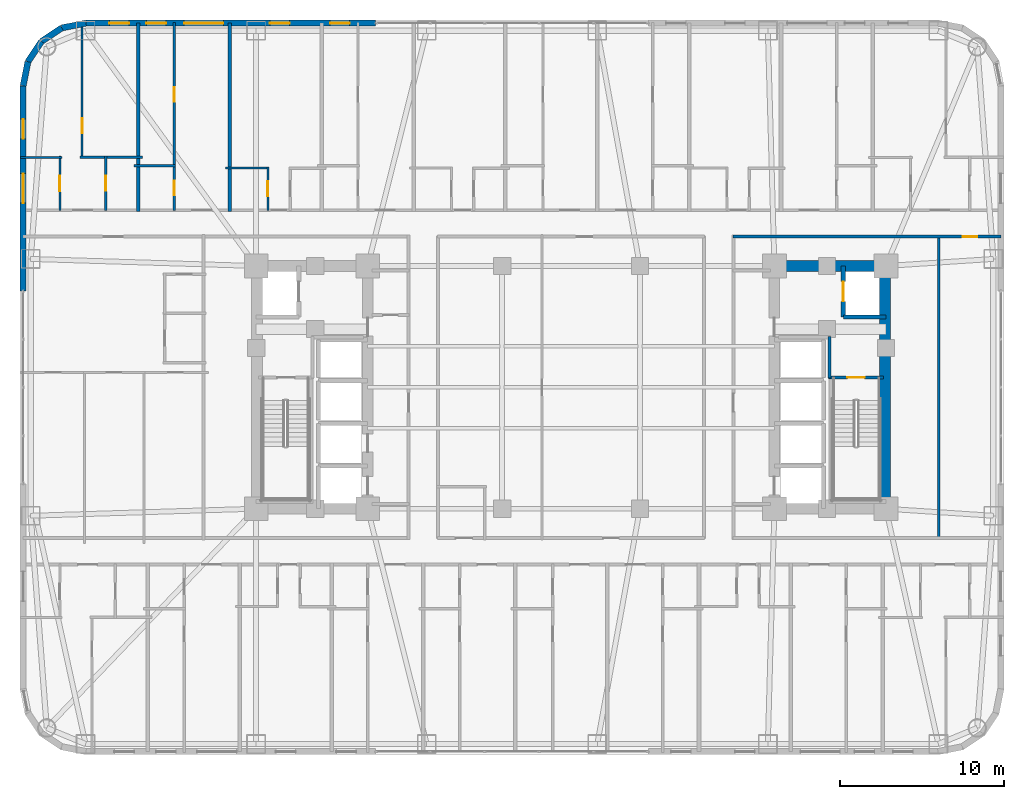
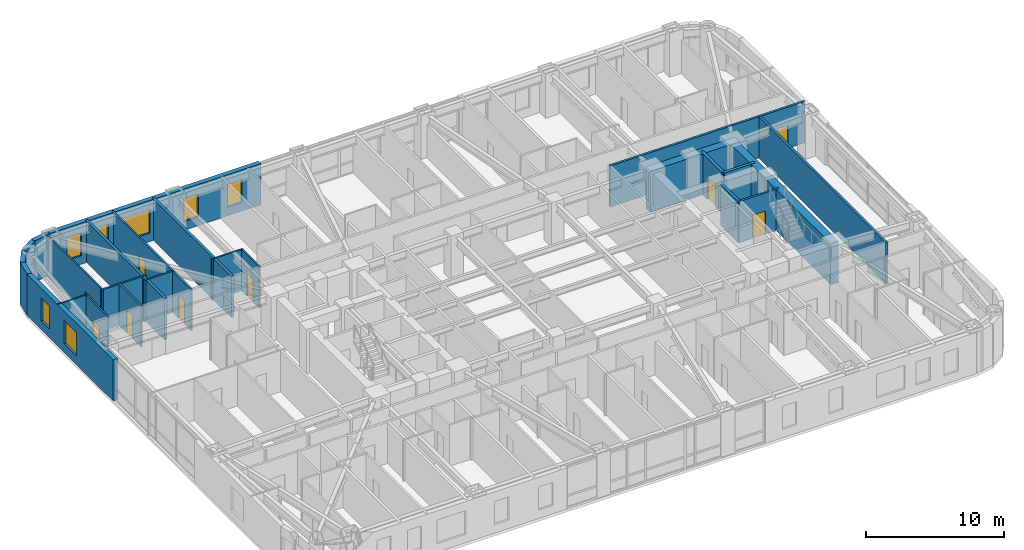
# One storey, part 24 of 28: 26 walls, 9 doors, 7 windows, 16 openings.
"""IFC4 building model written with IfcOpenShell, lengths in metres."""

from ifc_helpers import new_model, si_unit, direction, frame, frame_2d, origin, place, context, subcontext, project, spatial, rectangle, extrude, material, layer, layer_set, type_object, element, fill, save


model = new_model("IFC4")

# Units and contexts
model_context = context("Model", 3, precision=1e-05, world=origin(), true_north=direction((0.0, 1.0)))
body_context = subcontext(model_context, "Body", "Model", "MODEL_VIEW")
ifc_project = project(units=[si_unit("LENGTHUNIT", "METRE"), si_unit("AREAUNIT", "SQUARE_METRE"), si_unit("VOLUMEUNIT", "CUBIC_METRE"), si_unit("PLANEANGLEUNIT", "RADIAN"), si_unit("MASSUNIT", "GRAM", prefix="KILO")], contexts=[model_context])

# Site, building, storey
site_placement = place(None, origin())
site = spatial("IfcSite", under=ifc_project, at=site_placement, CompositionType="ELEMENT")
building_placement = place(site_placement, origin())
building = spatial("IfcBuilding", under=site, at=building_placement, Name="Voryun Gate Residences", CompositionType="ELEMENT")
storey_placement = place(building_placement, frame((0.0, 0.0, 61.10009765625)))
storey = spatial("IfcBuildingStorey", under=building, at=storey_placement, Name="L14", CompositionType="ELEMENT", Elevation=61.10009765625)

# Walls
ifc_material_1 = material(Name="Concrete C60/75", Category="concrete")
ifc_layer_1 = layer(ifc_material_1, 0.64990234375, Name="CW_CORE_650")
ifc_layer_set_1 = layer_set([ifc_layer_1], Name="Concrete C60/75")
wall_type_1 = type_object("IfcWallType", Name="CW_CORE_650", PredefinedType="SHEAR", material=ifc_layer_set_1)
wall_1_placement = place(storey_placement, frame((12.074951171875, 7.39990234375, 0.0), z_axis=(0.0, 0.0, 1.0), x_axis=(1.0, 0.0, 0.0)))
element("IfcWall", 1, at=wall_1_placement, inside=storey, type_object=wall_type_1, Name="L14 Core shear wall CW-L14-EN", PredefinedType="SHEAR", context=body_context, shape_type="SweptSolid", body=[
    extrude(rectangle(XDim=7.449951171875, YDim=0.64990234375, at=frame_2d((3.72509765625, 0.0))), origin(), (0.0, 0.0, 1.0), 3.64990234375),
])
wall_2_placement = place(storey_placement, frame((19.14501953125, -7.39990234375, 0.0), z_axis=(0.0, 0.0, 1.0), x_axis=(0.0, 1.0, 0.0)))
element("IfcWall", 2, at=wall_2_placement, inside=storey, type_object=wall_type_1, Name="L14 Core shear wall CW-L14-EE", PredefinedType="SHEAR", context=body_context, shape_type="SweptSolid", body=[
    extrude(rectangle(XDim=14.7998046875, YDim=0.64990234375, at=frame_2d((7.39990234375, 0.0))), origin(), (0.0, 0.0, 1.0), 3.64990234375),
])

# Wall, opening, door
ifc_material_2 = material(Name="Gypsum acoustic fireboard")
ifc_layer_2 = layer(ifc_material_2, 0.179931640625, Name="W_CORR_RATED_180")
ifc_layer_set_2 = layer_set([ifc_layer_2], Name="Gypsum acoustic fireboard")
wall_type_2 = type_object("IfcWallType", Name="W_CORR_RATED_180", PredefinedType="PARTITIONING", material=ifc_layer_set_2)
wall_3_placement = place(storey_placement, frame((15.699951171875, 0.60009765625, 0.0), z_axis=(0.0, 0.0, 1.0), x_axis=(1.0, 0.0, 0.0)))
wall_3 = element("IfcWall", 3, at=wall_3_placement, inside=storey, type_object=wall_type_2, Name="Partition wall WP-L14-STV-E", PredefinedType="PARTITIONING", context=body_context, shape_type="SweptSolid", body=[
    extrude(rectangle(XDim=3.360107421875, YDim=0.179931640625, at=frame_2d((1.68017578125, 0.0))), origin(), (0.0, 0.0, 1.0), 3.64990234375),
])
opening_1_placement = place(wall_3_placement, frame((1.155029296875, 0.0, 0.0)))
opening_1 = element("IfcOpeningElement", 4, at=opening_1_placement, cuts=wall_3, Name="Opening D-FD60-1", PredefinedType="OPENING", context=body_context, shape_type="SweptSolid", body=[
    extrude(rectangle(XDim=1.050048828125, YDim=2.050048828125, at=frame_2d((0.52490234375, 1.02490234375))), frame((0.0, 0.099853515625, 0.0), z_axis=(0.0, -1.0, 0.0), x_axis=(1.0, 0.0, 0.0)), (0.0, 0.0, 1.0), 0.199951171875),
])
ifc_material_3 = material(Name="Painted steel fire door", Category="steel")
door_type_1 = type_object("IfcDoorType", Name="DR_FD60_STAIR_1050", OperationType="NOTDEFINED", PredefinedType="DOOR", material=ifc_material_3)
door_1_placement = place(opening_1_placement, origin())
door_1 = element("IfcDoor", 5, at=door_1_placement, inside=storey, type_object=door_type_1, Name="Door DR-L14-ST-E", OperationType="SINGLE_SWING_RIGHT", OverallHeight=2.050048828125, OverallWidth=1.050048828125, PredefinedType="DOOR", context=body_context, shape_type="SweptSolid", body=[
    extrude(rectangle(XDim=1.050048828125, YDim=2.050048828125, at=frame_2d((0.52490234375, 1.02490234375))), frame((0.0, 0.02490234375, 0.0), z_axis=(0.0, -1.0, 0.0), x_axis=(1.0, 0.0, 0.0)), (0.0, 0.0, 1.0), 0.050048828125),
])
fill(opening_1, door_1)

wall_4_placement = place(storey_placement, frame((9.8798828125, 9.18994140625, 0.0), z_axis=(0.0, 0.0, 1.0), x_axis=(1.0, 0.0, 0.0)))
wall_4 = element("IfcWall", 6, at=wall_4_placement, inside=storey, type_object=wall_type_2, Name="Partition wall WP-L14-CWING-EN", PredefinedType="PARTITIONING", context=body_context, shape_type="SweptSolid", body=[
    extrude(rectangle(XDim=16.330078125, YDim=0.179931640625, at=frame_2d((8.1650390625, 0.0))), origin(), (0.0, 0.0, 1.0), 3.64990234375),
])
opening_2_placement = place(wall_4_placement, frame((13.990478515625, 0.0, 0.0)))
opening_2 = element("IfcOpeningElement", 7, at=opening_2_placement, cuts=wall_4, Name="Opening D-INT-2", PredefinedType="OPENING", context=body_context, shape_type="SweptSolid", body=[
    extrude(rectangle(XDim=0.89990234375, YDim=2.050048828125, at=frame_2d((0.449951171875, 1.02490234375))), frame((0.0, 0.099853515625, 0.0), z_axis=(0.0, -1.0, 0.0), x_axis=(1.0, 0.0, 0.0)), (0.0, 0.0, 1.0), 0.199951171875),
])
ifc_material_4 = material(Name="Architectural oak veneer")
door_type_2 = type_object("IfcDoorType", Name="DR_INT_BATH_900", OperationType="NOTDEFINED", PredefinedType="DOOR", material=ifc_material_4)
door_2_placement = place(opening_2_placement, origin())
door_2 = element("IfcDoor", 8, at=door_2_placement, inside=storey, type_object=door_type_2, Name="Door DR-L14-EE1N", OperationType="SINGLE_SWING_LEFT", OverallHeight=2.050048828125, OverallWidth=0.89990234375, PredefinedType="DOOR", context=body_context, shape_type="SweptSolid", body=[
    extrude(rectangle(XDim=0.89990234375, YDim=2.050048828125, at=frame_2d((0.449951171875, 1.02490234375))), frame((0.0, 0.02490234375, 0.0), z_axis=(0.0, -1.0, 0.0), x_axis=(1.0, 0.0, 0.0)), (0.0, 0.0, 1.0), 0.050048828125),
])
fill(opening_2, door_2)

# Wall
wall_5_placement = place(storey_placement, frame((22.419921875, -9.280029296875, 0.0), z_axis=(0.0, 0.0, 1.0), x_axis=(0.0, 1.0, 0.0)))
element("IfcWall", 9, at=wall_5_placement, inside=storey, type_object=wall_type_2, Name="Partition wall WP-L14-EEND", PredefinedType="PARTITIONING", context=body_context, shape_type="SweptSolid", body=[
    extrude(rectangle(XDim=18.56005859375, YDim=0.179931640625, at=frame_2d((9.280029296875, 0.0))), origin(), (0.0, 0.0, 1.0), 3.64990234375),
])

# Wall, openings, windows
ifc_material_5 = material(Name="Granite masonry", Category="masonry")
ifc_layer_3 = layer(ifc_material_5, 0.3798828125, Name="W_EXT_GRANITE_380")
ifc_layer_set_3 = layer_set([ifc_layer_3], Name="Granite masonry")
wall_type_3 = type_object("IfcWallType", Name="W_EXT_GRANITE_380", PredefinedType="ELEMENTEDWALL", material=ifc_layer_set_3)
wall_6_placement = place(storey_placement, frame((-33.409912109375, 5.882080078125, 0.0), z_axis=(0.0, 0.0, 1.0), x_axis=(0.0, 1.0, 0.0)))
wall_6 = element("IfcWall", 10, at=wall_6_placement, inside=storey, type_object=wall_type_3, Name="Exterior wall WEXT-L14-06B", PredefinedType="ELEMENTEDWALL", context=body_context, shape_type="SweptSolid", body=[
    extrude(rectangle(XDim=12.499267578125, YDim=0.3798828125, at=frame_2d((6.24951171875, 0.0))), origin(), (0.0, 0.0, 1.0), 3.64990234375),
])
opening_3_placement = place(wall_6_placement, frame((5.349609375, 0.0, 0.75)))
opening_3 = element("IfcOpeningElement", 11, at=opening_3_placement, cuts=wall_6, Name="Opening WN1", PredefinedType="OPENING", context=body_context, shape_type="SweptSolid", body=[
    extrude(rectangle(XDim=1.800048828125, YDim=2.10009765625, at=frame_2d((0.89990234375, 1.050048828125))), frame((0.0, 0.199951171875, 0.0), z_axis=(0.0, -1.0, 0.0), x_axis=(1.0, 0.0, 0.0)), (0.0, 0.0, 1.0), 0.39990234375),
])
opening_4_placement = place(wall_6_placement, frame((9.273681640625, 0.0, 0.75)))
opening_4 = element("IfcOpeningElement", 12, at=opening_4_placement, cuts=wall_6, Name="Opening WN6", PredefinedType="OPENING", context=body_context, shape_type="SweptSolid", body=[
    extrude(rectangle(XDim=1.199951171875, YDim=2.050048828125, at=frame_2d((0.60009765625, 1.02490234375))), frame((0.0, 0.199951171875, 0.0), z_axis=(0.0, -1.0, 0.0), x_axis=(1.0, 0.0, 0.0)), (0.0, 0.0, 1.0), 0.39990234375),
])
ifc_material_6 = material(Name="Laminated low-E glass", Category="glass")
window_type_1 = type_object("IfcWindowType", Name="WN_POD_SLOT_1200", PartitioningType="SINGLE_PANEL", PredefinedType="WINDOW", material=ifc_material_6)
window_1_placement = place(opening_4_placement, origin())
window_1 = element("IfcWindow", 13, at=window_1_placement, inside=storey, type_object=window_type_1, Name="Window WN-L14-DWFIX-01", OverallHeight=2.050048828125, OverallWidth=1.199951171875, PartitioningType="SINGLE_PANEL", PredefinedType="WINDOW", context=body_context, shape_type="SweptSolid", body=[
    extrude(rectangle(XDim=1.199951171875, YDim=2.050048828125, at=frame_2d((0.60009765625, 1.02490234375))), frame((0.0, 0.030029296875, 0.0), z_axis=(0.0, -1.0, 0.0), x_axis=(1.0, 0.0, 0.0)), (0.0, 0.0, 1.0), 0.06005859375),
])
fill(opening_4, window_1)
ifc_material_7 = material(Name="Laminated low-E glass", Category="glass")
window_type_2 = type_object("IfcWindowType", Name="WN_RES_PUNCH_1800", PartitioningType="SINGLE_PANEL", PredefinedType="WINDOW", material=ifc_material_7)
window_2_placement = place(opening_3_placement, origin())
window_2 = element("IfcWindow", 14, at=window_2_placement, inside=storey, type_object=window_type_2, Name="Window WN-WEXT-L14-06B-01", OverallHeight=2.10009765625, OverallWidth=1.800048828125, PartitioningType="SINGLE_PANEL", PredefinedType="WINDOW", context=body_context, shape_type="SweptSolid", body=[
    extrude(rectangle(XDim=1.800048828125, YDim=2.10009765625, at=frame_2d((0.89990234375, 1.050048828125))), frame((0.0, 0.030029296875, 0.0), z_axis=(0.0, -1.0, 0.0), x_axis=(1.0, 0.0, 0.0)), (0.0, 0.0, 1.0), 0.06005859375),
])
fill(opening_3, window_2)

# Walls
wall_7_placement = place(storey_placement, frame((-33.409912109375, 18.38134765625, 0.0), z_axis=(0.0, 0.0, 1.0), x_axis=(0.195086038585, 0.980786132421, 0.0)))
element("IfcWall", 15, at=wall_7_placement, inside=storey, type_object=wall_type_3, Name="Exterior wall WEXT-L14-07", PredefinedType="ELEMENTEDWALL", context=body_context, shape_type="SweptSolid", body=[
    extrude(rectangle(XDim=1.504150390625, YDim=0.3798828125, at=frame_2d((0.751953125, 0.0))), origin(), (0.0, 0.0, 1.0), 3.64990234375),
])
wall_8_placement = place(storey_placement, frame((-33.116455078125, 19.856689453125, 0.0), z_axis=(0.0, 0.0, 1.0), x_axis=(0.555572577804, 0.831468045563, 0.0)))
element("IfcWall", 16, at=wall_8_placement, inside=storey, type_object=wall_type_3, Name="Exterior wall WEXT-L14-08", PredefinedType="ELEMENTEDWALL", context=body_context, shape_type="SweptSolid", body=[
    extrude(rectangle(XDim=1.48486328125, YDim=0.3798828125, at=frame_2d((0.742431640625, 0.0))), origin(), (0.0, 0.0, 1.0), 3.64990234375),
])
wall_9_placement = place(storey_placement, frame((-32.29150390625, 21.09130859375, 0.0), z_axis=(0.0, 0.0, 1.0), x_axis=(0.831442848281, 0.555610286119, 0.0)))
element("IfcWall", 17, at=wall_9_placement, inside=storey, type_object=wall_type_3, Name="Exterior wall WEXT-L14-09", PredefinedType="ELEMENTEDWALL", context=body_context, shape_type="SweptSolid", body=[
    extrude(rectangle(XDim=1.485107421875, YDim=0.3798828125, at=frame_2d((0.74267578125, 0.0))), origin(), (0.0, 0.0, 1.0), 3.64990234375),
])
wall_10_placement = place(storey_placement, frame((-31.056640625, 21.91650390625, 0.0), z_axis=(0.0, 0.0, 1.0), x_axis=(0.980786132421, 0.195086038585, 0.0)))
element("IfcWall", 18, at=wall_10_placement, inside=storey, type_object=wall_type_3, Name="Exterior wall WEXT-L14-10", PredefinedType="ELEMENTEDWALL", context=body_context, shape_type="SweptSolid", body=[
    extrude(rectangle(XDim=1.504150390625, YDim=0.3798828125, at=frame_2d((0.751953125, 0.0))), origin(), (0.0, 0.0, 1.0), 3.64990234375),
])

# Wall, openings, windows
wall_11_placement = place(storey_placement, frame((-29.581298828125, 22.2099609375, 0.0), z_axis=(0.0, 0.0, 1.0), x_axis=(1.0, 0.0, 0.0)))
wall_11 = element("IfcWall", 19, at=wall_11_placement, inside=storey, type_object=wall_type_3, Name="Exterior wall WEXT-L14-11A", PredefinedType="ELEMENTEDWALL", context=body_context, shape_type="SweptSolid", body=[
    extrude(rectangle(XDim=17.667236328125, YDim=0.3798828125, at=frame_2d((8.83349609375, 0.0))), origin(), (0.0, 0.0, 1.0), 3.64990234375),
])
opening_5_placement = place(wall_11_placement, frame((5.983642578125, 0.0, 0.75)))
opening_5 = element("IfcOpeningElement", 20, at=opening_5_placement, cuts=wall_11, Name="Opening WN2", PredefinedType="OPENING", context=body_context, shape_type="SweptSolid", body=[
    extrude(rectangle(XDim=2.39990234375, YDim=2.10009765625, at=frame_2d((1.199951171875, 1.050048828125))), frame((0.0, 0.199951171875, 0.0), z_axis=(0.0, -1.0, 0.0), x_axis=(1.0, 0.0, 0.0)), (0.0, 0.0, 1.0), 0.39990234375),
])
opening_6_placement = place(wall_11_placement, frame((1.435546875, 0.0, 0.75)))
opening_6 = element("IfcOpeningElement", 21, at=opening_6_placement, cuts=wall_11, Name="Opening WN6", PredefinedType="OPENING", context=body_context, shape_type="SweptSolid", body=[
    extrude(rectangle(XDim=1.199951171875, YDim=2.050048828125, at=frame_2d((0.60009765625, 1.02490234375))), frame((0.0, 0.199951171875, 0.0), z_axis=(0.0, -1.0, 0.0), x_axis=(1.0, 0.0, 0.0)), (0.0, 0.0, 1.0), 0.39990234375),
])
opening_7_placement = place(wall_11_placement, frame((3.686279296875, 0.0, 0.75)))
opening_7 = element("IfcOpeningElement", 22, at=opening_7_placement, cuts=wall_11, Name="Opening WN6", PredefinedType="OPENING", context=body_context, shape_type="SweptSolid", body=[
    extrude(rectangle(XDim=1.199951171875, YDim=2.050048828125, at=frame_2d((0.60009765625, 1.02490234375))), frame((0.0, 0.199951171875, 0.0), z_axis=(0.0, -1.0, 0.0), x_axis=(1.0, 0.0, 0.0)), (0.0, 0.0, 1.0), 0.39990234375),
])
opening_8_placement = place(wall_11_placement, frame((11.22119140625, 0.0, 0.75)))
opening_8 = element("IfcOpeningElement", 23, at=opening_8_placement, cuts=wall_11, Name="Opening WN6", PredefinedType="OPENING", context=body_context, shape_type="SweptSolid", body=[
    extrude(rectangle(XDim=1.199951171875, YDim=2.050048828125, at=frame_2d((0.60009765625, 1.02490234375))), frame((0.0, 0.199951171875, 0.0), z_axis=(0.0, -1.0, 0.0), x_axis=(1.0, 0.0, 0.0)), (0.0, 0.0, 1.0), 0.39990234375),
])
opening_9_placement = place(wall_11_placement, frame((14.88623046875, 0.0, 0.75)))
opening_9 = element("IfcOpeningElement", 24, at=opening_9_placement, cuts=wall_11, Name="Opening WN6", PredefinedType="OPENING", context=body_context, shape_type="SweptSolid", body=[
    extrude(rectangle(XDim=1.199951171875, YDim=2.050048828125, at=frame_2d((0.60009765625, 1.02490234375))), frame((0.0, 0.199951171875, 0.0), z_axis=(0.0, -1.0, 0.0), x_axis=(1.0, 0.0, 0.0)), (0.0, 0.0, 1.0), 0.39990234375),
])
window_3_placement = place(opening_6_placement, origin())
window_3 = element("IfcWindow", 25, at=window_3_placement, inside=storey, type_object=window_type_1, Name="Window WN-L14-DWFIX-02", OverallHeight=2.050048828125, OverallWidth=1.199951171875, PartitioningType="SINGLE_PANEL", PredefinedType="WINDOW", context=body_context, shape_type="SweptSolid", body=[
    extrude(rectangle(XDim=1.199951171875, YDim=2.050048828125, at=frame_2d((0.60009765625, 1.02490234375))), frame((0.0, 0.030029296875, 0.0), z_axis=(0.0, -1.0, 0.0), x_axis=(1.0, 0.0, 0.0)), (0.0, 0.0, 1.0), 0.06005859375),
])
fill(opening_6, window_3)
window_4_placement = place(opening_7_placement, origin())
window_4 = element("IfcWindow", 26, at=window_4_placement, inside=storey, type_object=window_type_1, Name="Window WN-L14-DWFIX-03", OverallHeight=2.050048828125, OverallWidth=1.199951171875, PartitioningType="SINGLE_PANEL", PredefinedType="WINDOW", context=body_context, shape_type="SweptSolid", body=[
    extrude(rectangle(XDim=1.199951171875, YDim=2.050048828125, at=frame_2d((0.60009765625, 1.02490234375))), frame((0.0, 0.030029296875, 0.0), z_axis=(0.0, -1.0, 0.0), x_axis=(1.0, 0.0, 0.0)), (0.0, 0.0, 1.0), 0.06005859375),
])
fill(opening_7, window_4)
window_5_placement = place(opening_8_placement, origin())
window_5 = element("IfcWindow", 27, at=window_5_placement, inside=storey, type_object=window_type_1, Name="Window WN-L14-DWFIX-04", OverallHeight=2.050048828125, OverallWidth=1.199951171875, PartitioningType="SINGLE_PANEL", PredefinedType="WINDOW", context=body_context, shape_type="SweptSolid", body=[
    extrude(rectangle(XDim=1.199951171875, YDim=2.050048828125, at=frame_2d((0.60009765625, 1.02490234375))), frame((0.0, 0.030029296875, 0.0), z_axis=(0.0, -1.0, 0.0), x_axis=(1.0, 0.0, 0.0)), (0.0, 0.0, 1.0), 0.06005859375),
])
fill(opening_8, window_5)
window_6_placement = place(opening_9_placement, origin())
window_6 = element("IfcWindow", 28, at=window_6_placement, inside=storey, type_object=window_type_1, Name="Window WN-L14-DWFIX-05", OverallHeight=2.050048828125, OverallWidth=1.199951171875, PartitioningType="SINGLE_PANEL", PredefinedType="WINDOW", context=body_context, shape_type="SweptSolid", body=[
    extrude(rectangle(XDim=1.199951171875, YDim=2.050048828125, at=frame_2d((0.60009765625, 1.02490234375))), frame((0.0, 0.030029296875, 0.0), z_axis=(0.0, -1.0, 0.0), x_axis=(1.0, 0.0, 0.0)), (0.0, 0.0, 1.0), 0.06005859375),
])
fill(opening_9, window_6)
ifc_material_8 = material(Name="Laminated low-E glass", Category="glass")
window_type_3 = type_object("IfcWindowType", Name="WN_RES_WIDE_2400", PartitioningType="SINGLE_PANEL", PredefinedType="WINDOW", material=ifc_material_8)
window_7_placement = place(opening_5_placement, origin())
window_7 = element("IfcWindow", 29, at=window_7_placement, inside=storey, type_object=window_type_3, Name="Window WN-WEXT-L14-11A-01", OverallHeight=2.10009765625, OverallWidth=2.39990234375, PartitioningType="SINGLE_PANEL", PredefinedType="WINDOW", context=body_context, shape_type="SweptSolid", body=[
    extrude(rectangle(XDim=2.39990234375, YDim=2.10009765625, at=frame_2d((1.199951171875, 1.050048828125))), frame((0.0, 0.030029296875, 0.0), z_axis=(0.0, -1.0, 0.0), x_axis=(1.0, 0.0, 0.0)), (0.0, 0.0, 1.0), 0.06005859375),
])
fill(opening_5, window_7)

# Walls
ifc_material_9 = material(Name="Concrete C40/50", Category="concrete")
ifc_layer_4 = layer(ifc_material_9, 0.199951171875, Name="W_FF_LOBBY_200")
ifc_layer_set_4 = layer_set([ifc_layer_4], Name="Concrete C40/50")
wall_type_4 = type_object("IfcWallType", Name="W_FF_LOBBY_200", PredefinedType="PARTITIONING", material=ifc_layer_set_4)
wall_12_placement = place(storey_placement, frame((15.760009765625, 0.580078125, 0.0), z_axis=(0.0, 0.0, 1.0), x_axis=(0.0, 1.0, 0.0)))
element("IfcWall", 30, at=wall_12_placement, inside=storey, type_object=wall_type_4, Name="Partition wall WP-L14-FFP0-E", PredefinedType="PARTITIONING", context=body_context, shape_type="SweptSolid", body=[
    extrude(rectangle(XDim=2.52001953125, YDim=0.199951171875, at=frame_2d((1.260009765625, 0.0))), origin(), (0.0, 0.0, 1.0), 3.64990234375),
])
ifc_material_10 = material(Name="Concrete C40/50", Category="concrete")
ifc_layer_5 = layer(ifc_material_10, 0.219970703125, Name="W_PARTY_ACOUSTIC_220")
ifc_layer_set_5 = layer_set([ifc_layer_5], Name="Concrete C40/50")
wall_type_5 = type_object("IfcWallType", Name="W_PARTY_ACOUSTIC_220", PredefinedType="PARTITIONING", material=ifc_layer_set_5)
for number, where, z_axis, x_axis, name in (
    (31, (-26.39990234375, 10.719970703125, 0.0), (0.0, 0.0, 1.0), (0.0, 1.0, 0.0), "Partition wall WP-L14-NPTY-1"),
    (32, (-20.800048828125, 10.719970703125, 0.0), (0.0, 0.0, 1.0), (0.0, 1.0, 0.0), "Partition wall WP-L14-NPTY-2"),
):
    element("IfcWall", number, at=place(storey_placement, frame(where, z_axis=z_axis, x_axis=x_axis)), inside=storey, type_object=wall_type_5, Name=name, PredefinedType="PARTITIONING", context=body_context, shape_type="SweptSolid", body=[
        extrude(rectangle(XDim=11.489990234375, YDim=0.219970703125, at=frame_2d((5.7451171875, 0.0))), origin(), (0.0, 0.0, 1.0), 3.64990234375),
    ])
ifc_material_11 = material(Name="Concrete C50/60", Category="concrete")
ifc_layer_6 = layer(ifc_material_11, 0.25, Name="W_SHAFT_RC250")
ifc_layer_set_6 = layer_set([ifc_layer_6], Name="Concrete C50/60")
wall_type_6 = type_object("IfcWallType", Name="W_SHAFT_RC250", PredefinedType="SOLIDWALL", material=ifc_layer_set_6)
wall_13_placement = place(storey_placement, frame((16.60009765625, 4.300048828125, 0.0), z_axis=(0.0, 0.0, 1.0), x_axis=(1.0, 0.0, 0.0)))
element("IfcWall", 33, at=wall_13_placement, inside=storey, type_object=wall_type_6, Name="Lift shaft wall WSH-L14-EL-FF-E1-S", PredefinedType="SOLIDWALL", context=body_context, shape_type="SweptSolid", body=[
    extrude(rectangle(XDim=2.599853515625, YDim=0.25, at=frame_2d((1.2998046875, 0.0))), origin(), (0.0, 0.0, 1.0), 3.64990234375),
])

# Wall, opening, door
wall_14_placement = place(storey_placement, frame((16.60009765625, 7.39990234375, 0.0), z_axis=(0.0, 0.0, 1.0), x_axis=(0.0, -1.0, 0.0)))
wall_14 = element("IfcWall", 34, at=wall_14_placement, inside=storey, type_object=wall_type_6, Name="Lift shaft wall WSH-L14-EL-FF-E1-W", PredefinedType="SOLIDWALL", context=body_context, shape_type="SweptSolid", body=[
    extrude(rectangle(XDim=3.099853515625, YDim=0.25, at=frame_2d((1.5498046875, 0.0))), origin(), (0.0, 0.0, 1.0), 3.64990234375),
])
opening_10_placement = place(wall_14_placement, frame((0.949951171875, 0.0, 0.0)))
opening_10 = element("IfcOpeningElement", 35, at=opening_10_placement, cuts=wall_14, Name="Opening LD1", PredefinedType="OPENING", context=body_context, shape_type="SweptSolid", body=[
    extrude(rectangle(XDim=1.199951171875, YDim=2.050048828125, at=frame_2d((0.60009765625, 1.02490234375))), frame((0.0, 0.135009765625, 0.0), z_axis=(0.0, -1.0, 0.0), x_axis=(1.0, 0.0, 0.0)), (0.0, 0.0, 1.0), 0.27001953125),
])
ifc_material_12 = material(Name="Anodised aluminium", Category="aluminium")
door_type_3 = type_object("IfcDoorType", Name="DR_LD_FF_1200", OperationType="NOTDEFINED", PredefinedType="DOOR", material=ifc_material_12)
door_3_placement = place(opening_10_placement, origin())
door_3 = element("IfcDoor", 36, at=door_3_placement, inside=storey, type_object=door_type_3, Name="Lift EL-FF-E1 sliding landing door L14", OperationType="SLIDING_TO_LEFT", OverallHeight=2.050048828125, OverallWidth=1.199951171875, PredefinedType="DOOR", context=body_context, shape_type="SweptSolid", body=[
    extrude(rectangle(XDim=1.199951171875, YDim=2.050048828125, at=frame_2d((0.60009765625, 1.02490234375))), frame((0.0, 0.02490234375, 0.0), z_axis=(0.0, -1.0, 0.0), x_axis=(1.0, 0.0, 0.0)), (0.0, 0.0, 1.0), 0.050048828125),
])
fill(opening_10, door_3)

ifc_material_13 = material(Name="Gypsum acoustic partition")
ifc_layer_7 = layer(ifc_material_13, 0.125, Name="W_UNIT_PART_125")
ifc_layer_set_7 = layer_set([ifc_layer_7], Name="Gypsum acoustic partition")
wall_type_7 = type_object("IfcWallType", Name="W_UNIT_PART_125", PredefinedType="PARTITIONING", material=ifc_layer_set_7)
wall_15_placement = place(storey_placement, frame((-29.81005859375, 13.93994140625, 0.0), z_axis=(0.0, 0.0, 1.0), x_axis=(0.0, 1.0, 0.0)))
wall_15 = element("IfcWall", 37, at=wall_15_placement, inside=storey, type_object=wall_type_7, Name="Partition wall WP-L14-N1-OVR", PredefinedType="PARTITIONING", context=body_context, shape_type="SweptSolid", body=[
    extrude(rectangle(XDim=8.37744140625, YDim=0.125, at=frame_2d((4.188720703125, 0.0))), origin(), (0.0, 0.0, 1.0), 3.64990234375),
])
opening_11_placement = place(wall_15_placement, frame((1.560546875, 0.0, 0.0)))
opening_11 = element("IfcOpeningElement", 38, at=opening_11_placement, cuts=wall_15, Name="Opening D-INT-2", PredefinedType="OPENING", context=body_context, shape_type="SweptSolid", body=[
    extrude(rectangle(XDim=0.89990234375, YDim=2.050048828125, at=frame_2d((0.449951171875, 1.02490234375))), frame((0.0, 0.072509765625, 0.0), z_axis=(0.0, -1.0, 0.0), x_axis=(1.0, 0.0, 0.0)), (0.0, 0.0, 1.0), 0.14501953125),
])
door_4_placement = place(opening_11_placement, origin())
door_4 = element("IfcDoor", 39, at=door_4_placement, inside=storey, type_object=door_type_2, Name="Door DR-L14-N1-DMB", OperationType="SINGLE_SWING_RIGHT", OverallHeight=2.050048828125, OverallWidth=0.89990234375, PredefinedType="DOOR", context=body_context, shape_type="SweptSolid", body=[
    extrude(rectangle(XDim=0.89990234375, YDim=2.050048828125, at=frame_2d((0.449951171875, 1.02490234375))), frame((0.0, 0.02490234375, 0.0), z_axis=(0.0, -1.0, 0.0), x_axis=(1.0, 0.0, 0.0)), (0.0, 0.0, 1.0), 0.050048828125),
])
fill(opening_11, door_4)

wall_16_placement = place(storey_placement, frame((-31.16796875, 10.780029296875, 0.0), z_axis=(0.0, 0.0, 1.0), x_axis=(0.0, 1.0, 0.0)))
wall_16 = element("IfcWall", 40, at=wall_16_placement, inside=storey, type_object=wall_type_7, Name="Partition wall WP-L14-N1-IVK", PredefinedType="PARTITIONING", context=body_context, shape_type="SweptSolid", body=[
    extrude(rectangle(XDim=3.320068359375, YDim=0.125, at=frame_2d((1.66015625, 0.0))), origin(), (0.0, 0.0, 1.0), 3.64990234375),
])
opening_12_placement = place(wall_16_placement, frame((1.18505859375, 0.0, 0.0)))
opening_12 = element("IfcOpeningElement", 41, at=opening_12_placement, cuts=wall_16, Name="Opening D-INT-1", PredefinedType="OPENING", context=body_context, shape_type="SweptSolid", body=[
    extrude(rectangle(XDim=0.949951171875, YDim=2.050048828125, at=frame_2d((0.47509765625, 1.02490234375))), frame((0.0, 0.072509765625, 0.0), z_axis=(0.0, -1.0, 0.0), x_axis=(1.0, 0.0, 0.0)), (0.0, 0.0, 1.0), 0.14501953125),
])
ifc_material_14 = material(Name="Architectural oak veneer")
door_type_4 = type_object("IfcDoorType", Name="DR_INT_ROOM_950", OperationType="NOTDEFINED", PredefinedType="DOOR", material=ifc_material_14)
door_5_placement = place(opening_12_placement, origin())
door_5 = element("IfcDoor", 42, at=door_5_placement, inside=storey, type_object=door_type_4, Name="Door DR-L14-N1-DK", OperationType="SINGLE_SWING_LEFT", OverallHeight=2.050048828125, OverallWidth=0.949951171875, PredefinedType="DOOR", context=body_context, shape_type="SweptSolid", body=[
    extrude(rectangle(XDim=0.949951171875, YDim=2.050048828125, at=frame_2d((0.47509765625, 1.02490234375))), frame((0.0, 0.02490234375, 0.0), z_axis=(0.0, -1.0, 0.0), x_axis=(1.0, 0.0, 0.0)), (0.0, 0.0, 1.0), 0.050048828125),
])
fill(opening_12, door_5)

# Wall
wall_17_placement = place(storey_placement, frame((-33.56005859375, 14.02001953125, 0.0), z_axis=(0.0, 0.0, 1.0), x_axis=(1.0, 0.0, 0.0)))
element("IfcWall", 43, at=wall_17_placement, inside=storey, type_object=wall_type_7, Name="Partition wall WP-L14-N1-HZK", PredefinedType="PARTITIONING", context=body_context, shape_type="SweptSolid", body=[
    extrude(rectangle(XDim=2.511962890625, YDim=0.125, at=frame_2d((1.255859375, 0.0))), origin(), (0.0, 0.0, 1.0), 3.64990234375),
])

# Wall, opening, door
wall_18_placement = place(storey_placement, frame((-18.489990234375, 10.780029296875, 0.0), z_axis=(0.0, 0.0, 1.0), x_axis=(0.0, 1.0, 0.0)))
wall_18 = element("IfcWall", 44, at=wall_18_placement, inside=storey, type_object=wall_type_7, Name="Partition wall WP-L14-N3-CVK", PredefinedType="PARTITIONING", context=body_context, shape_type="SweptSolid", body=[
    extrude(rectangle(XDim=2.64990234375, YDim=0.125, at=frame_2d((1.324951171875, 0.0))), origin(), (0.0, 0.0, 1.0), 3.64990234375),
])
opening_13_placement = place(wall_18_placement, frame((0.875, 0.0, 0.0)))
opening_13 = element("IfcOpeningElement", 45, at=opening_13_placement, cuts=wall_18, Name="Opening D-INT-2", PredefinedType="OPENING", context=body_context, shape_type="SweptSolid", body=[
    extrude(rectangle(XDim=0.89990234375, YDim=2.050048828125, at=frame_2d((0.449951171875, 1.02490234375))), frame((0.0, 0.072509765625, 0.0), z_axis=(0.0, -1.0, 0.0), x_axis=(1.0, 0.0, 0.0)), (0.0, 0.0, 1.0), 0.14501953125),
])
door_6_placement = place(opening_13_placement, origin())
door_6 = element("IfcDoor", 46, at=door_6_placement, inside=storey, type_object=door_type_2, Name="Door DR-L14-N3-DK", OperationType="SINGLE_SWING_LEFT", OverallHeight=2.050048828125, OverallWidth=0.89990234375, PredefinedType="DOOR", context=body_context, shape_type="SweptSolid", body=[
    extrude(rectangle(XDim=0.89990234375, YDim=2.050048828125, at=frame_2d((0.449951171875, 1.02490234375))), frame((0.0, 0.02490234375, 0.0), z_axis=(0.0, -1.0, 0.0), x_axis=(1.0, 0.0, 0.0)), (0.0, 0.0, 1.0), 0.050048828125),
])
fill(opening_13, door_6)

# Walls
wall_19_placement = place(storey_placement, frame((-21.06005859375, 13.3701171875, 0.0), z_axis=(0.0, 0.0, 1.0), x_axis=(1.0, 0.0, 0.0)))
element("IfcWall", 47, at=wall_19_placement, inside=storey, type_object=wall_type_7, Name="Partition wall WP-L14-N3-CHK", PredefinedType="PARTITIONING", context=body_context, shape_type="SweptSolid", body=[
    extrude(rectangle(XDim=2.630126953125, YDim=0.125, at=frame_2d((1.31494140625, 0.0))), origin(), (0.0, 0.0, 1.0), 3.64990234375),
])
ifc_material_15 = material(Name="Gypsum moisture-resistant partition")
ifc_layer_8 = layer(ifc_material_15, 0.14990234375, Name="W_WET_PLUMB_150")
ifc_layer_set_8 = layer_set([ifc_layer_8], Name="Gypsum moisture-resistant partition")
wall_type_8 = type_object("IfcWallType", Name="W_WET_PLUMB_150", PredefinedType="PLUMBINGWALL", material=ifc_layer_set_8)
wall_20_placement = place(storey_placement, frame((-29.929931640625, 14.02001953125, 0.0), z_axis=(0.0, 0.0, 1.0), x_axis=(1.0, 0.0, 0.0)))
element("IfcWall", 48, at=wall_20_placement, inside=storey, type_object=wall_type_8, Name="Partition wall WP-L14-N1-HZB", PredefinedType="PLUMBINGWALL", context=body_context, shape_type="SweptSolid", body=[
    extrude(rectangle(XDim=3.7900390625, YDim=0.14990234375, at=frame_2d((1.89501953125, 0.0))), origin(), (0.0, 0.0, 1.0), 3.64990234375),
])

# Wall, opening, door
wall_21_placement = place(storey_placement, frame((-28.3798828125, 10.780029296875, 0.0), z_axis=(0.0, 0.0, 1.0), x_axis=(0.0, 1.0, 0.0)))
wall_21 = element("IfcWall", 49, at=wall_21_placement, inside=storey, type_object=wall_type_8, Name="Partition wall WP-L14-N1-IVB", PredefinedType="PLUMBINGWALL", context=body_context, shape_type="SweptSolid", body=[
    extrude(rectangle(XDim=3.320068359375, YDim=0.14990234375, at=frame_2d((1.66015625, 0.0))), origin(), (0.0, 0.0, 1.0), 3.64990234375),
])
opening_14_placement = place(wall_21_placement, frame((1.2099609375, 0.0, 0.0)))
opening_14 = element("IfcOpeningElement", 50, at=opening_14_placement, cuts=wall_21, Name="Opening D-INT-2", PredefinedType="OPENING", context=body_context, shape_type="SweptSolid", body=[
    extrude(rectangle(XDim=0.89990234375, YDim=2.050048828125, at=frame_2d((0.449951171875, 1.02490234375))), frame((0.0, 0.0849609375, 0.0), z_axis=(0.0, -1.0, 0.0), x_axis=(1.0, 0.0, 0.0)), (0.0, 0.0, 1.0), 0.169921875),
])
door_7_placement = place(opening_14_placement, origin())
door_7 = element("IfcDoor", 51, at=door_7_placement, inside=storey, type_object=door_type_2, Name="Door DR-L14-N1-DB", OperationType="SINGLE_SWING_RIGHT", OverallHeight=2.050048828125, OverallWidth=0.89990234375, PredefinedType="DOOR", context=body_context, shape_type="SweptSolid", body=[
    extrude(rectangle(XDim=0.89990234375, YDim=2.050048828125, at=frame_2d((0.449951171875, 1.02490234375))), frame((0.0, 0.02490234375, 0.0), z_axis=(0.0, -1.0, 0.0), x_axis=(1.0, 0.0, 0.0)), (0.0, 0.0, 1.0), 0.050048828125),
])
fill(opening_14, door_7)

# Wall
wall_22_placement = place(storey_placement, frame((-26.659912109375, 13.5, 0.0), z_axis=(0.0, 0.0, 1.0), x_axis=(1.0, 0.0, 0.0)))
element("IfcWall", 52, at=wall_22_placement, inside=storey, type_object=wall_type_8, Name="Partition wall WP-L14-N2-SKB", PredefinedType="PLUMBINGWALL", context=body_context, shape_type="SweptSolid", body=[
    extrude(rectangle(XDim=2.5498046875, YDim=0.14990234375, at=frame_2d((1.27490234375, 0.0))), origin(), (0.0, 0.0, 1.0), 3.64990234375),
])

# Wall, opening, door
wall_23_placement = place(storey_placement, frame((-24.18994140625, 10.780029296875, 0.0), z_axis=(0.0, 0.0, 1.0), x_axis=(0.0, 1.0, 0.0)))
wall_23 = element("IfcWall", 53, at=wall_23_placement, inside=storey, type_object=wall_type_8, Name="Partition wall WP-L14-N2-SVT1", PredefinedType="PLUMBINGWALL", context=body_context, shape_type="SweptSolid", body=[
    extrude(rectangle(XDim=2.760009765625, YDim=0.14990234375, at=frame_2d((1.3798828125, 0.0))), origin(), (0.0, 0.0, 1.0), 3.64990234375),
])
opening_15_placement = place(wall_23_placement, frame((0.929931640625, 0.0, 0.0)))
opening_15 = element("IfcOpeningElement", 54, at=opening_15_placement, cuts=wall_23, Name="Opening D-INT-2", PredefinedType="OPENING", context=body_context, shape_type="SweptSolid", body=[
    extrude(rectangle(XDim=0.89990234375, YDim=2.050048828125, at=frame_2d((0.449951171875, 1.02490234375))), frame((0.0, 0.0849609375, 0.0), z_axis=(0.0, -1.0, 0.0), x_axis=(1.0, 0.0, 0.0)), (0.0, 0.0, 1.0), 0.169921875),
])
door_8_placement = place(opening_15_placement, origin())
door_8 = element("IfcDoor", 55, at=door_8_placement, inside=storey, type_object=door_type_2, Name="Door DR-L14-N2-DB", OperationType="SINGLE_SWING_LEFT", OverallHeight=2.050048828125, OverallWidth=0.89990234375, PredefinedType="DOOR", context=body_context, shape_type="SweptSolid", body=[
    extrude(rectangle(XDim=0.89990234375, YDim=2.050048828125, at=frame_2d((0.449951171875, 1.02490234375))), frame((0.0, 0.02490234375, 0.0), z_axis=(0.0, -1.0, 0.0), x_axis=(1.0, 0.0, 0.0)), (0.0, 0.0, 1.0), 0.050048828125),
])
fill(opening_15, door_8)

wall_24_placement = place(storey_placement, frame((-24.18994140625, 13.4599609375, 0.0), z_axis=(0.0, 0.0, 1.0), x_axis=(0.0, 1.0, 0.0)))
wall_24 = element("IfcWall", 56, at=wall_24_placement, inside=storey, type_object=wall_type_8, Name="Partition wall WP-L14-N2-SVT2", PredefinedType="PLUMBINGWALL", context=body_context, shape_type="SweptSolid", body=[
    extrude(rectangle(XDim=8.797607421875, YDim=0.14990234375, at=frame_2d((4.39892578125, 0.0))), origin(), (0.0, 0.0, 1.0), 3.64990234375),
])
opening_16_placement = place(wall_24_placement, frame((3.94873046875, 0.0, 0.0)))
opening_16 = element("IfcOpeningElement", 57, at=opening_16_placement, cuts=wall_24, Name="Opening D-INT-2", PredefinedType="OPENING", context=body_context, shape_type="SweptSolid", body=[
    extrude(rectangle(XDim=0.89990234375, YDim=2.050048828125, at=frame_2d((0.449951171875, 1.02490234375))), frame((0.0, 0.0849609375, 0.0), z_axis=(0.0, -1.0, 0.0), x_axis=(1.0, 0.0, 0.0)), (0.0, 0.0, 1.0), 0.169921875),
])
door_9_placement = place(opening_16_placement, origin())
door_9 = element("IfcDoor", 58, at=door_9_placement, inside=storey, type_object=door_type_2, Name="Door DR-L14-N2-DK", OperationType="SINGLE_SWING_RIGHT", OverallHeight=2.050048828125, OverallWidth=0.89990234375, PredefinedType="DOOR", context=body_context, shape_type="SweptSolid", body=[
    extrude(rectangle(XDim=0.89990234375, YDim=2.050048828125, at=frame_2d((0.449951171875, 1.02490234375))), frame((0.0, 0.02490234375, 0.0), z_axis=(0.0, -1.0, 0.0), x_axis=(1.0, 0.0, 0.0)), (0.0, 0.0, 1.0), 0.050048828125),
])
fill(opening_16, door_9)

save(model, "model.ifc")
